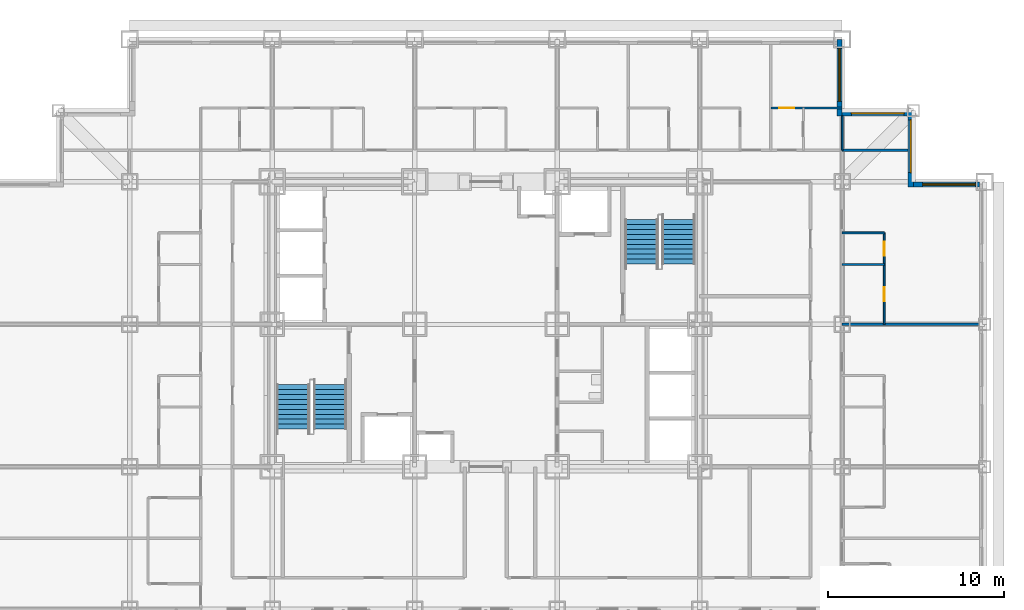
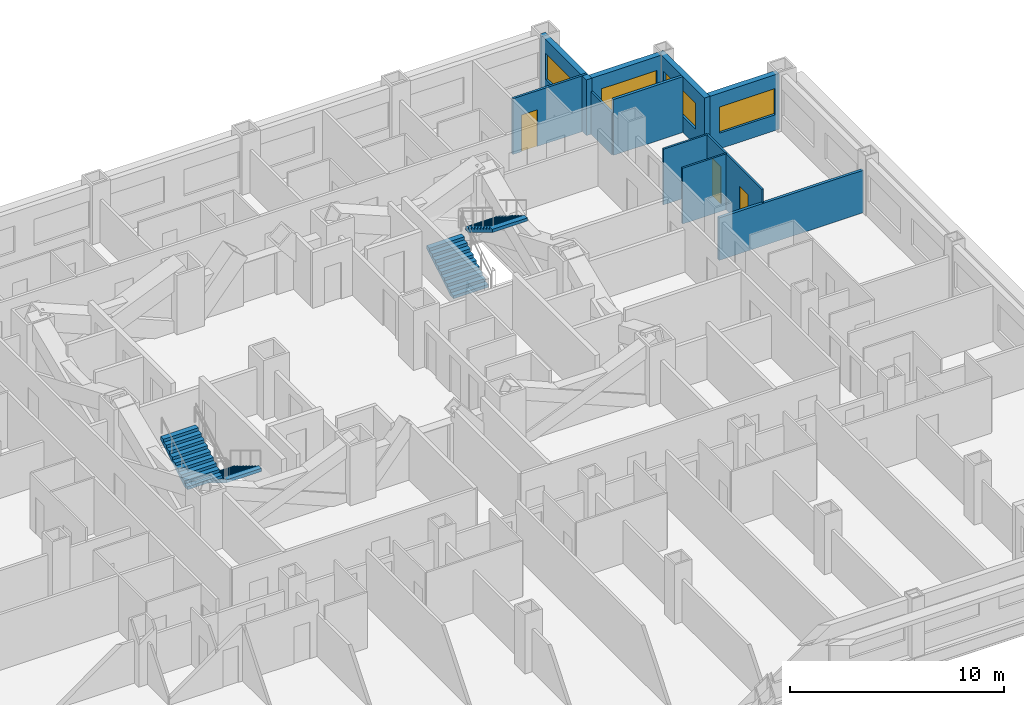
# One storey, part 10 of 12: 11 walls, 4 stair flights, 4 windows, 3 doors, 7 openings, 2 elements without a shape of their own.
"""IFC4 building model written with IfcOpenShell, lengths in metres."""

import ifcopenshell
import ifcopenshell.guid

model = None  # the IFC model being written
_history = None  # IfcOwnerHistory: only IFC2X3 demands one
_inside = {}  # id of a spatial element -> (the spatial element, [elements in it])
_under = {}  # id of a project, library or spatial element -> (it, [spatial elements below it])
_declared = {}  # id of a project -> (the project, [libraries it declares])
_typed = {}  # id of a type object -> (the type object, [elements of that type])
_made_of = {}  # id of a material, layer set ... -> (it, [elements and type objects made of it])


def new_model(schema):
    """Start an empty IFC model of exactly this schema.

    Asked for "IFC4X3", IfcOpenShell would pick the latest addendum, in which some entities
    have other attributes; the version numbers below select the first issue.
    IFC2X3 requires an IfcOwnerHistory on every rooted entity: one is made here for all.
    """
    global model, _history
    if schema == "IFC4X3":
        model = ifcopenshell.file(schema_version=(4, 3, 0, 0))
    else:
        model = ifcopenshell.file(schema=schema)
    _inside.clear()
    _under.clear()
    _declared.clear()
    _typed.clear()
    _made_of.clear()
    _history = None
    if model.schema == "IFC2X3":
        org = make("IfcOrganization", Name="unknown")
        user = make(
            "IfcPersonAndOrganization",
            ThePerson=make("IfcPerson", FamilyName="unknown"),
            TheOrganization=org,
        )
        app = make(
            "IfcApplication",
            ApplicationDeveloper=org,
            Version="unknown",
            ApplicationFullName="unknown",
            ApplicationIdentifier="unknown",
        )
        _history = make(
            "IfcOwnerHistory",
            OwningUser=user,
            OwningApplication=app,
            ChangeAction="ADDED",
            CreationDate=0,
        )
    return model


def make(cls, **values):
    """One entity of the class cls with the attributes given. An attribute that is None is left unset."""
    return model.create_entity(
        cls, **{name: value for name, value in values.items() if value is not None}
    )


def rooted(cls, **values):
    """An entity with a GlobalId (a new one), such as an element, a storey or a relation."""
    return make(cls, GlobalId=ifcopenshell.guid.new(), OwnerHistory=_history, **values)


def si_unit(unit_type, name, prefix=None):
    """IfcSIUnit, for example si_unit("LENGTHUNIT", "METRE", prefix="MILLI")."""
    return make("IfcSIUnit", UnitType=unit_type, Prefix=prefix, Name=name)


def assignment(units):
    """IfcUnitAssignment: the units of a project."""
    return None if units is None else make("IfcUnitAssignment", Units=units)


def point(xyz):
    """IfcCartesianPoint."""
    return None if xyz is None else make("IfcCartesianPoint", Coordinates=xyz)


def direction(xyz):
    """IfcDirection."""
    return None if xyz is None else make("IfcDirection", DirectionRatios=xyz)


def frame(location, z_axis=None, x_axis=None):
    """IfcAxis2Placement3D, a coordinate frame: its origin and axes. An axis left out is left unset."""
    return make(
        "IfcAxis2Placement3D",
        Location=point(location),
        Axis=direction(z_axis),
        RefDirection=direction(x_axis),
    )


def frame_2d(location, x_axis=None):
    """IfcAxis2Placement2D, a coordinate frame in the plane: its origin and x axis."""
    return make(
        "IfcAxis2Placement2D", Location=point(location), RefDirection=direction(x_axis)
    )


def origin():
    """The frame at (0, 0, 0) with its axes left unset."""
    return frame((0.0, 0.0, 0.0))


def place(relative_to, where):
    """IfcLocalPlacement: puts the frame where relative to a parent placement (None: the world)."""
    return make(
        "IfcLocalPlacement", PlacementRelTo=relative_to, RelativePlacement=where
    )


def context(
    kind, dimensions, precision=None, world=None, true_north=None, identifier=None
):
    """IfcGeometricRepresentationContext, for example the 3D "Model" context."""
    return make(
        "IfcGeometricRepresentationContext",
        ContextIdentifier=identifier,
        ContextType=kind,
        CoordinateSpaceDimension=dimensions,
        Precision=precision,
        WorldCoordinateSystem=world,
        TrueNorth=true_north,
    )


def subcontext(parent, identifier, kind, view, scale=None):
    """IfcGeometricRepresentationSubContext, for example "Body" below "Model"."""
    return make(
        "IfcGeometricRepresentationSubContext",
        ContextIdentifier=identifier,
        ContextType=kind,
        ParentContext=parent,
        TargetScale=scale,
        TargetView=view,
    )


def project(units=None, contexts=None):
    """IfcProject with its units and contexts."""
    return rooted(
        "IfcProject",
        Name="project",
        RepresentationContexts=contexts,
        UnitsInContext=assignment(units),
    )


def spatial(cls, under=None, at=None, **own):
    """A site, building, storey or space (cls), placed at a placement, below another one or the project."""
    s = rooted(cls, ObjectPlacement=at, **own)
    if under is not None:
        _under.setdefault(under.id(), (under, []))[1].append(s)
    return s


def point_list(points):
    """IfcCartesianPointList2D or 3D."""
    cls = (
        "IfcCartesianPointList2D" if len(points[0]) == 2 else "IfcCartesianPointList3D"
    )
    return make(cls, CoordList=points)


def profile(cls, at=None, kind="AREA", **sizes):
    """A parametric profile (cls). Its sizes go by their IFC names, for example OverallWidth=200.0."""
    return make(cls, ProfileType=kind, Position=at, **sizes)


def rectangle(**sizes):
    """IfcRectangleProfileDef."""
    return profile("IfcRectangleProfileDef", **sizes)


def extrude(swept, where, along, depth):
    """IfcExtrudedAreaSolid: the profile swept, set in the frame where, extruded along a direction by depth."""
    return make(
        "IfcExtrudedAreaSolid",
        SweptArea=swept,
        Position=where,
        ExtrudedDirection=direction(along),
        Depth=depth,
    )


def polygons(points, faces, closed=None, point_numbers=None):
    """IfcPolygonalFaceSet: a face is its outer loop, then its inner loops; points numbered from 1."""
    made = []
    for loops in faces:
        if len(loops) == 1:
            made.append(make("IfcIndexedPolygonalFace", CoordIndex=loops[0]))
        else:
            made.append(
                make(
                    "IfcIndexedPolygonalFaceWithVoids",
                    CoordIndex=loops[0],
                    InnerCoordIndices=loops[1:],
                )
            )
    return make(
        "IfcPolygonalFaceSet",
        Coordinates=point_list(points),
        Closed=closed,
        Faces=made,
        PnIndex=point_numbers,
    )


def shape(context_of_items, identifier, shape_type, items):
    """IfcShapeRepresentation: the items that make up one representation, for example the "Body"."""
    return make(
        "IfcShapeRepresentation",
        ContextOfItems=context_of_items,
        RepresentationIdentifier=identifier,
        RepresentationType=shape_type,
        Items=items,
    )


def source(mapping_origin, context_of_items, identifier, shape_type, items):
    """IfcRepresentationMap: a shape defined once, which mapped items show again and again."""
    return make(
        "IfcRepresentationMap",
        MappingOrigin=mapping_origin,
        MappedRepresentation=shape(context_of_items, identifier, shape_type, items),
    )


def transform(
    local_origin,
    x_axis=None,
    y_axis=None,
    z_axis=None,
    scale=None,
    scale2=None,
    scale3=None,
    uniform=True,
):
    """IfcCartesianTransformationOperator3D, or its non-uniform kind. x_axis, y_axis, z_axis: its Axis1, 2, 3."""
    if uniform:
        return make(
            "IfcCartesianTransformationOperator3D",
            Axis1=direction(x_axis),
            Axis2=direction(y_axis),
            LocalOrigin=point(local_origin),
            Scale=scale,
            Axis3=direction(z_axis),
        )
    return make(
        "IfcCartesianTransformationOperator3DnonUniform",
        Axis1=direction(x_axis),
        Axis2=direction(y_axis),
        LocalOrigin=point(local_origin),
        Scale=scale,
        Axis3=direction(z_axis),
        Scale2=scale2,
        Scale3=scale3,
    )


def mapped(mapping_source, mapping_target):
    """IfcMappedItem: shows the shape of a source again, moved by a transform."""
    return make(
        "IfcMappedItem", MappingSource=mapping_source, MappingTarget=mapping_target
    )


def material(Name=None, Category=None):
    """IfcMaterial."""
    return make("IfcMaterial", Name=Name, Category=Category)


def layer(
    of_material, thickness, ventilated=None, Name=None, Category=None, Priority=None
):
    """IfcMaterialLayer: one layer of a wall or slab, of a material (None: an air gap)."""
    return make(
        "IfcMaterialLayer",
        Material=of_material,
        LayerThickness=thickness,
        IsVentilated=ventilated,
        Name=Name,
        Category=Category,
        Priority=Priority,
    )


def layer_set(layers, Name=None):
    """IfcMaterialLayerSet."""
    return make("IfcMaterialLayerSet", MaterialLayers=layers, LayerSetName=Name)


def made_of(thing, what):
    """Note that an element or type object is made of a material, layer set ...; save() writes the relation."""
    if what is not None:
        _made_of.setdefault(what.id(), (what, []))[1].append(thing)
    return thing


def type_object(cls, material=None, **own):
    """A type object (cls), such as IfcWallType, which elements share."""
    return made_of(rooted(cls, **own), material)


def element(
    cls,
    number,
    at=None,
    inside=None,
    cuts=None,
    type_object=None,
    material=None,
    context=None,
    identifier="Body",
    shape_type=None,
    held_by="IfcProductDefinitionShape",
    body=None,
    shapes=None,
    **own,
):
    """One element of the class cls, such as IfcWall. Its Tag is "e" and its number.

    at: its placement. inside: the storey or other place that contains it. cuts: it is an
    opening in that element (IfcRelVoidsElement). A single representation is given by context,
    identifier, shape_type and body (its items); several are given by shapes. held_by: the class
    of the entity that holds the representations. save() writes the other relations.
    """
    e = rooted(cls, Tag="e%d" % number, ObjectPlacement=at, **own)
    if body is not None:
        shapes = [shape(context, identifier, shape_type, body)]
    if shapes is not None:
        e.Representation = make(held_by, Representations=shapes)
    if inside is not None:
        _inside.setdefault(inside.id(), (inside, []))[1].append(e)
    if cuts is not None:
        rooted(
            "IfcRelVoidsElement", RelatingBuildingElement=cuts, RelatedOpeningElement=e
        )
    if type_object is not None:
        _typed.setdefault(type_object.id(), (type_object, []))[1].append(e)
    return made_of(e, material)


def fill(opening, filler):
    """IfcRelFillsElement: the door or window that sits in an opening."""
    return rooted(
        "IfcRelFillsElement",
        RelatingOpeningElement=opening,
        RelatedBuildingElement=filler,
    )


def aggregate(whole, parts):
    """IfcRelAggregates: a whole, such as a stair, and the parts it consists of."""
    return rooted("IfcRelAggregates", RelatingObject=whole, RelatedObjects=parts)


def save(model, path):
    """Write the relations noted so far, then the file.

    IfcRelAggregates (storeys below a building ...), IfcRelContainedInSpatialStructure (elements
    in a storey), IfcRelDefinesByType, IfcRelAssociatesMaterial and IfcRelDeclares: one each for
    every whole, place, type object, material and project.
    """
    for whole, parts in _under.values():
        aggregate(whole, parts)
    for where, things in _inside.values():
        rooted(
            "IfcRelContainedInSpatialStructure",
            RelatedElements=things,
            RelatingStructure=where,
        )
    for kind, things in _typed.values():
        rooted("IfcRelDefinesByType", RelatedObjects=things, RelatingType=kind)
    for what, things in _made_of.values():
        rooted("IfcRelAssociatesMaterial", RelatedObjects=things, RelatingMaterial=what)
    for by, libraries in _declared.values():
        rooted("IfcRelDeclares", RelatingContext=by, RelatedDefinitions=libraries)
    model.write(path)


model = new_model("IFC4")

# Units and contexts
model_context = context("Model", 3, precision=1e-05, world=origin(), true_north=direction((0.0, 1.0)))
body_context = subcontext(model_context, "Body", "Model", "MODEL_VIEW")
ifc_project = project(units=[si_unit("LENGTHUNIT", "METRE"), si_unit("AREAUNIT", "SQUARE_METRE"), si_unit("VOLUMEUNIT", "CUBIC_METRE"), si_unit("PLANEANGLEUNIT", "RADIAN"), si_unit("MASSUNIT", "GRAM", prefix="KILO")], contexts=[model_context])

# Site, building, storey
site_placement = place(None, origin())
site = spatial("IfcSite", under=ifc_project, at=site_placement, CompositionType="ELEMENT")
building_placement = place(site_placement, origin())
building = spatial("IfcBuilding", under=site, at=building_placement, Name="Kopane Lantern Tower", CompositionType="ELEMENT")
storey_placement = place(building_placement, frame((0.0, 0.0, 80.60009765625)))
storey = spatial("IfcBuildingStorey", under=building, at=storey_placement, Name="L20", CompositionType="ELEMENT", Elevation=80.60009765625)

# Wall, opening, door
ifc_material_1 = material(Name="Gypsum board on steel studs", Category="steel")
ifc_layer_1 = layer(ifc_material_1, 0.1201171875)
ifc_layer_set_1 = layer_set([ifc_layer_1], Name="APARTMENT INTERNAL WALL 120")
wall_type_1 = type_object("IfcWallType", Name="APARTMENT INTERNAL WALL 120", PredefinedType="PARTITIONING", material=ifc_layer_set_1)
wall_1_placement = place(storey_placement, frame((44.550048828125, 44.699951171875, 0.0), z_axis=(0.0, 0.0, 1.0), x_axis=(1.0, 0.0, 0.0)))
wall_1 = element("IfcWall", 1, at=wall_1_placement, inside=storey, type_object=wall_type_1, Name="Apartment Internal Wall 120 L20", PredefinedType="PARTITIONING", context=body_context, shape_type="SweptSolid", body=[
    extrude(rectangle(XDim=4.050048828125, YDim=0.1201171875, at=frame_2d((2.02490234375, 0.0))), origin(), (0.0, 0.0, 1.0), 3.18994140625),
])
opening_1_placement = place(wall_1_placement, frame((0.47509765625, 0.0, 0.0)))
opening_1 = element("IfcOpeningElement", 2, at=opening_1_placement, cuts=wall_1, Name="Opening L20-069", PredefinedType="OPENING", context=body_context, shape_type="SweptSolid", body=[
    extrude(rectangle(XDim=0.85009765625, YDim=2.10009765625, at=frame_2d((0.425048828125, 1.050048828125))), frame((0.0, 0.070068359375, 0.0), z_axis=(0.0, -1.0, 0.0), x_axis=(1.0, 0.0, 0.0)), (0.0, 0.0, 1.0), 0.14013671875),
])
ifc_material_2 = material(Name="Timber door set", Category="wood")
door_type_1 = type_object("IfcDoorType", Name="DOOR D4 850x2100", OperationType="SINGLE_SWING_LEFT", PredefinedType="DOOR", material=ifc_material_2)
door_1_placement = place(opening_1_placement, origin())
door_1 = element("IfcDoor", 3, at=door_1_placement, inside=storey, type_object=door_type_1, Name="Door L20-069", OperationType="SINGLE_SWING_LEFT", OverallHeight=2.10009765625, OverallWidth=0.85009765625, PredefinedType="DOOR", context=body_context, shape_type="SweptSolid", body=[
    extrude(rectangle(XDim=0.85009765625, YDim=2.10009765625, at=frame_2d((0.425048828125, 1.050048828125))), frame((0.0, 0.02490234375, 0.0), z_axis=(0.0, -1.0, 0.0), x_axis=(1.0, 0.0, 0.0)), (0.0, 0.0, 1.0), 0.050048828125),
])
fill(opening_1, door_1)

# Wall, openings, doors
ifc_material_3 = material(Name="Moisture-resistant board on steel studs", Category="steel")
ifc_layer_2 = layer(ifc_material_3, 0.10009765625)
ifc_layer_set_2 = layer_set([ifc_layer_2], Name="BATHROOM WALL 100")
wall_type_2 = type_object("IfcWallType", Name="BATHROOM WALL 100", PredefinedType="PARTITIONING", material=ifc_layer_set_2)
wall_2_placement = place(storey_placement, frame((51.0, 32.39990234375, 0.0), z_axis=(0.0, 0.0, 1.0), x_axis=(0.0, 1.0, 0.0)))
wall_2 = element("IfcWall", 4, at=wall_2_placement, inside=storey, type_object=wall_type_2, Name="Bathroom Wall 100 L20", PredefinedType="PARTITIONING", context=body_context, shape_type="SweptSolid", body=[
    extrude(rectangle(XDim=5.2001953125, YDim=0.10009765625, at=frame_2d((2.60009765625, 0.0))), origin(), (0.0, 0.0, 1.0), 3.18994140625),
])
opening_2_placement = place(wall_2_placement, frame((1.300048828125, 0.0, 0.0)))
opening_2 = element("IfcOpeningElement", 5, at=opening_2_placement, cuts=wall_2, Name="Opening L20-056", PredefinedType="OPENING", context=body_context, shape_type="SweptSolid", body=[
    extrude(rectangle(XDim=0.800048828125, YDim=2.10009765625, at=frame_2d((0.39990234375, 1.050048828125))), frame((0.0, 0.06005859375, 0.0), z_axis=(0.0, -1.0, 0.0), x_axis=(1.0, 0.0, 0.0)), (0.0, 0.0, 1.0), 0.1201171875),
])
opening_3_placement = place(wall_2_placement, frame((3.89990234375, 0.0, 0.0)))
opening_3 = element("IfcOpeningElement", 6, at=opening_3_placement, cuts=wall_2, Name="Opening L20-057", PredefinedType="OPENING", context=body_context, shape_type="SweptSolid", body=[
    extrude(rectangle(XDim=0.800048828125, YDim=2.10009765625, at=frame_2d((0.39990234375, 1.050048828125))), frame((0.0, 0.06005859375, 0.0), z_axis=(0.0, -1.0, 0.0), x_axis=(1.0, 0.0, 0.0)), (0.0, 0.0, 1.0), 0.1201171875),
])
ifc_material_4 = material(Name="Timber door set", Category="wood")
door_type_2 = type_object("IfcDoorType", Name="DOOR D2 800x2100", OperationType="SINGLE_SWING_LEFT", PredefinedType="DOOR", material=ifc_material_4)
door_2_placement = place(opening_2_placement, origin())
door_2 = element("IfcDoor", 7, at=door_2_placement, inside=storey, type_object=door_type_2, Name="Door L20-056", OperationType="SINGLE_SWING_RIGHT", OverallHeight=2.10009765625, OverallWidth=0.800048828125, PredefinedType="DOOR", context=body_context, shape_type="SweptSolid", body=[
    extrude(rectangle(XDim=0.800048828125, YDim=2.10009765625, at=frame_2d((0.39990234375, 1.050048828125))), frame((0.0, 0.02490234375, 0.0), z_axis=(0.0, -1.0, 0.0), x_axis=(1.0, 0.0, 0.0)), (0.0, 0.0, 1.0), 0.050048828125),
])
fill(opening_2, door_2)
door_3_placement = place(opening_3_placement, origin())
door_3 = element("IfcDoor", 8, at=door_3_placement, inside=storey, type_object=door_type_2, Name="Door L20-057", OperationType="SINGLE_SWING_RIGHT", OverallHeight=2.10009765625, OverallWidth=0.800048828125, PredefinedType="DOOR", context=body_context, shape_type="SweptSolid", body=[
    extrude(rectangle(XDim=0.800048828125, YDim=2.10009765625, at=frame_2d((0.39990234375, 1.050048828125))), frame((0.0, 0.02490234375, 0.0), z_axis=(0.0, -1.0, 0.0), x_axis=(1.0, 0.0, 0.0)), (0.0, 0.0, 1.0), 0.050048828125),
])
fill(opening_3, door_3)

# Walls
for number, where, z_axis, x_axis, name in (
    (9, (48.60009765625, 35.800048828125, 0.0), (0.0, 0.0, 1.0), (1.0, 0.0, 0.0), "Bathroom Wall 100 L20"),
    (10, (48.60009765625, 37.60009765625, 0.0), (0.0, 0.0, 1.0), (1.0, 0.0, 0.0), "Bathroom Wall 100 L20"),
):
    element("IfcWall", number, at=place(storey_placement, frame(where, z_axis=z_axis, x_axis=x_axis)), inside=storey, type_object=wall_type_2, Name=name, PredefinedType="PARTITIONING", context=body_context, shape_type="SweptSolid", body=[
        extrude(rectangle(XDim=2.39990234375, YDim=0.10009765625, at=frame_2d((1.199951171875, 0.0))), origin(), (0.0, 0.0, 1.0), 3.18994140625),
    ])
wall_3_placement = place(storey_placement, frame((48.60009765625, 42.300048828125, 0.0), z_axis=(0.0, 0.0, 1.0), x_axis=(0.0, 1.0, 0.0)))
element("IfcWall", 11, at=wall_3_placement, inside=storey, type_object=wall_type_2, Name="Bathroom Wall 100 L20", PredefinedType="PARTITIONING", context=body_context, shape_type="SweptSolid", body=[
    extrude(rectangle(XDim=1.949951171875, YDim=0.10009765625, at=frame_2d((0.97509765625, 0.0))), origin(), (0.0, 0.0, 1.0), 2.427734375),
])
ifc_material_5 = material(Name="Gypsum board on steel studs", Category="steel")
ifc_layer_3 = layer(ifc_material_5, 0.14990234375)
ifc_layer_set_3 = layer_set([ifc_layer_3], Name="DEMISING WALL 150 EI 60")
wall_type_3 = type_object("IfcWallType", Name="DEMISING WALL 150 EI 60", PredefinedType="PARTITIONING", material=ifc_layer_set_3)
wall_4_placement = place(storey_placement, frame((48.60009765625, 32.39990234375, 0.0), z_axis=(0.0, 0.0, 1.0), x_axis=(1.0, 0.0, 0.0)))
element("IfcWall", 12, at=wall_4_placement, inside=storey, type_object=wall_type_3, Name="Demising Wall 150 Ei 60 L20", PredefinedType="PARTITIONING", context=body_context, shape_type="SweptSolid", body=[
    extrude(rectangle(XDim=7.7998046875, YDim=0.14990234375, at=frame_2d((3.89990234375, 0.0))), origin(), (0.0, 0.0, 1.0), 2.427734375),
])
wall_5_placement = place(storey_placement, frame((48.60009765625, 42.300048828125, 0.0), z_axis=(0.0, 0.0, 1.0), x_axis=(1.0, 0.0, 0.0)))
element("IfcWall", 13, at=wall_5_placement, inside=storey, type_object=wall_type_3, Name="Demising Wall 150 Ei 60 L20", PredefinedType="PARTITIONING", context=body_context, shape_type="SweptSolid", body=[
    extrude(rectangle(XDim=3.75, YDim=0.14990234375, at=frame_2d((1.875, 0.0))), origin(), (0.0, 0.0, 1.0), 3.18994140625),
])

# Wall, opening, window
ifc_material_6 = material(Name="Terracotta rainscreen on light steel framing", Category="masonry")
ifc_layer_4 = layer(ifc_material_6, 0.300048828125)
ifc_layer_set_4 = layer_set([ifc_layer_4], Name="EXTERNAL WALL EW1 300 TERRACOTTA")
wall_type_4 = type_object("IfcWallType", Name="EXTERNAL WALL EW1 300 TERRACOTTA", PredefinedType="SOLIDWALL", material=ifc_layer_set_4)
wall_6_placement = place(storey_placement, frame((56.39990234375, 40.35009765625, 0.0), z_axis=(0.0, 0.0, 1.0), x_axis=(-1.0, 0.0, 0.0)))
wall_6 = element("IfcWall", 14, at=wall_6_placement, inside=storey, type_object=wall_type_4, Name="External wall N L20", PredefinedType="SOLIDWALL", context=body_context, shape_type="SweptSolid", body=[
    extrude(rectangle(XDim=3.75, YDim=0.300048828125, at=frame_2d((1.875, 0.0))), origin(), (0.0, 0.0, 1.0), 3.18994140625),
])
opening_4_placement = place(wall_6_placement, frame((0.22509765625, 0.0, 0.89990234375)))
opening_4 = element("IfcOpeningElement", 15, at=opening_4_placement, cuts=wall_6, Name="Opening WR300150", PredefinedType="OPENING", context=body_context, shape_type="SweptSolid", body=[
    extrude(rectangle(XDim=3.0, YDim=1.5, at=frame_2d((1.5, 0.75))), frame((0.0, 0.159912109375, 0.0), z_axis=(0.0, -1.0, 0.0), x_axis=(1.0, 0.0, 0.0)), (0.0, 0.0, 1.0), 0.320068359375),
])
ifc_material_7 = material(Name="Aluminium and clear glass", Category="aluminium")
window_type = type_object("IfcWindowType", Name="RIBBON WINDOW WR300150 3000x1500", PartitioningType="SINGLE_PANEL", PredefinedType="WINDOW", material=ifc_material_7)
window_1_placement = place(opening_4_placement, origin())
window_1 = element("IfcWindow", 16, at=window_1_placement, inside=storey, type_object=window_type, Name="Window N L20", OverallHeight=1.5, OverallWidth=3.0, PartitioningType="SINGLE_PANEL", PredefinedType="WINDOW", context=body_context, shape_type="SweptSolid", body=[
    extrude(rectangle(XDim=3.0, YDim=1.5, at=frame_2d((1.5, 0.75))), frame((0.0, 0.030029296875, 0.0), z_axis=(0.0, -1.0, 0.0), x_axis=(1.0, 0.0, 0.0)), (0.0, 0.0, 1.0), 0.06005859375),
])
fill(opening_4, window_1)

wall_7_placement = place(storey_placement, frame((52.5, 40.199951171875, 0.0), z_axis=(0.0, 0.0, 1.0), x_axis=(0.0, 1.0, 0.0)))
wall_7 = element("IfcWall", 17, at=wall_7_placement, inside=storey, type_object=wall_type_4, Name="External wall E L20", PredefinedType="SOLIDWALL", context=body_context, shape_type="SweptSolid", body=[
    extrude(rectangle(XDim=4.35009765625, YDim=0.300048828125, at=frame_2d((2.175048828125, 0.0))), origin(), (0.0, 0.0, 1.0), 3.18994140625),
])
opening_5_placement = place(wall_7_placement, frame((0.824951171875, 0.0, 0.89990234375)))
opening_5 = element("IfcOpeningElement", 18, at=opening_5_placement, cuts=wall_7, Name="Opening WR300150", PredefinedType="OPENING", context=body_context, shape_type="SweptSolid", body=[
    extrude(rectangle(XDim=3.0, YDim=1.5, at=frame_2d((1.5, 0.75))), frame((0.0, 0.159912109375, 0.0), z_axis=(0.0, -1.0, 0.0), x_axis=(1.0, 0.0, 0.0)), (0.0, 0.0, 1.0), 0.320068359375),
])
window_2_placement = place(opening_5_placement, origin())
window_2 = element("IfcWindow", 19, at=window_2_placement, inside=storey, type_object=window_type, Name="Window E L20", OverallHeight=1.5, OverallWidth=3.0, PartitioningType="SINGLE_PANEL", PredefinedType="WINDOW", context=body_context, shape_type="SweptSolid", body=[
    extrude(rectangle(XDim=3.0, YDim=1.5, at=frame_2d((1.5, 0.75))), frame((0.0, 0.030029296875, 0.0), z_axis=(0.0, -1.0, 0.0), x_axis=(1.0, 0.0, 0.0)), (0.0, 0.0, 1.0), 0.06005859375),
])
fill(opening_5, window_2)

wall_8_placement = place(storey_placement, frame((52.35009765625, 44.39990234375, 0.0), z_axis=(0.0, 0.0, 1.0), x_axis=(-1.0, 0.0, 0.0)))
wall_8 = element("IfcWall", 20, at=wall_8_placement, inside=storey, type_object=wall_type_4, Name="External wall N L20", PredefinedType="SOLIDWALL", context=body_context, shape_type="SweptSolid", body=[
    extrude(rectangle(XDim=3.75, YDim=0.300048828125, at=frame_2d((1.875, 0.0))), origin(), (0.0, 0.0, 1.0), 3.18994140625),
])
opening_6_placement = place(wall_8_placement, frame((0.22509765625, 0.0, 0.89990234375)))
opening_6 = element("IfcOpeningElement", 21, at=opening_6_placement, cuts=wall_8, Name="Opening WR300150", PredefinedType="OPENING", context=body_context, shape_type="SweptSolid", body=[
    extrude(rectangle(XDim=3.0, YDim=1.5, at=frame_2d((1.5, 0.75))), frame((0.0, 0.159912109375, 0.0), z_axis=(0.0, -1.0, 0.0), x_axis=(1.0, 0.0, 0.0)), (0.0, 0.0, 1.0), 0.320068359375),
])
window_3_placement = place(opening_6_placement, origin())
window_3 = element("IfcWindow", 22, at=window_3_placement, inside=storey, type_object=window_type, Name="Window N L20", OverallHeight=1.5, OverallWidth=3.0, PartitioningType="SINGLE_PANEL", PredefinedType="WINDOW", context=body_context, shape_type="SweptSolid", body=[
    extrude(rectangle(XDim=3.0, YDim=1.5, at=frame_2d((1.5, 0.75))), frame((0.0, 0.030029296875, 0.0), z_axis=(0.0, -1.0, 0.0), x_axis=(1.0, 0.0, 0.0)), (0.0, 0.0, 1.0), 0.06005859375),
])
fill(opening_6, window_3)

wall_9_placement = place(storey_placement, frame((48.449951171875, 44.25, 0.0), z_axis=(0.0, 0.0, 1.0), x_axis=(0.0, 1.0, 0.0)))
wall_9 = element("IfcWall", 23, at=wall_9_placement, inside=storey, type_object=wall_type_4, Name="External wall E L20", PredefinedType="SOLIDWALL", context=body_context, shape_type="SweptSolid", body=[
    extrude(rectangle(XDim=4.35009765625, YDim=0.300048828125, at=frame_2d((2.175048828125, 0.0))), origin(), (0.0, 0.0, 1.0), 3.18994140625),
])
opening_7_placement = place(wall_9_placement, frame((0.824951171875, 0.0, 0.89990234375)))
opening_7 = element("IfcOpeningElement", 24, at=opening_7_placement, cuts=wall_9, Name="Opening WR300150", PredefinedType="OPENING", context=body_context, shape_type="SweptSolid", body=[
    extrude(rectangle(XDim=3.0, YDim=1.5, at=frame_2d((1.5, 0.75))), frame((0.0, 0.159912109375, 0.0), z_axis=(0.0, -1.0, 0.0), x_axis=(1.0, 0.0, 0.0)), (0.0, 0.0, 1.0), 0.320068359375),
])
window_4_placement = place(opening_7_placement, origin())
window_4 = element("IfcWindow", 25, at=window_4_placement, inside=storey, type_object=window_type, Name="Window E L20", OverallHeight=1.5, OverallWidth=3.0, PartitioningType="SINGLE_PANEL", PredefinedType="WINDOW", context=body_context, shape_type="SweptSolid", body=[
    extrude(rectangle(XDim=3.0, YDim=1.5, at=frame_2d((1.5, 0.75))), frame((0.0, 0.030029296875, 0.0), z_axis=(0.0, -1.0, 0.0), x_axis=(1.0, 0.0, 0.0)), (0.0, 0.0, 1.0), 0.06005859375),
])
fill(opening_7, window_4)

# Stair, stair flights
ifc_material_8 = material(Name="Steel S355JR", Category="steel")
stair_type = type_object("IfcStairType", Name="EXIT STAIR 1900 HALF TURN", PredefinedType="HALF_TURN_STAIR", material=ifc_material_8)
stair_1_placement = place(storey_placement, origin())
stair_1 = element("IfcStair", 26, at=stair_1_placement, inside=storey, type_object=stair_type, Name="Exit stair ST1 L20", PredefinedType="HALF_TURN_STAIR")
ifc_material_9 = material(Name="Steel S355JR", Category="steel")
stair_flight_type = type_object("IfcStairFlightType", Name="STAIR FLIGHT 1900 STEEL", PredefinedType="STRAIGHT", material=ifc_material_9)
shared_shape = source(origin(), body_context, "Body", "Tessellation", [
    polygons([(2.520019531, 0.949951172, 1.530029297), (2.239990234, 0.949951172, 1.530029297), (2.239990234, -0.949951172, 1.530029297), (2.520019531, -0.949951172, 1.530029297), (0.288818359, 0.949951172, 0.0), (2.520019531, 0.949951172, 1.354736328), (2.520019531, -0.949951172, 1.354736328), (0.288818359, -0.949951172, 0.0), (0.0, 0.949951172, 0.0), (0.0, -0.949951172, 0.0), (0.280029297, 0.949951172, 0.169921875), (0.0, 0.949951172, 0.169921875), (0.0, -0.949951172, 0.169921875), (0.280029297, -0.949951172, 0.169921875), (0.280029297, 0.949951172, 0.340087891), (0.280029297, -0.949951172, 0.340087891), (0.560058594, 0.949951172, 0.340087891), (0.560058594, -0.949951172, 0.340087891), (0.560058594, 0.949951172, 0.510009766), (0.560058594, -0.949951172, 0.510009766), (0.840087891, 0.949951172, 0.510009766), (0.840087891, -0.949951172, 0.510009766), (0.840087891, 0.949951172, 0.679931641), (0.840087891, -0.949951172, 0.679931641), (1.120117188, 0.949951172, 0.679931641), (1.120117188, -0.949951172, 0.679931641), (1.120117188, 0.949951172, 0.850097656), (1.120117188, -0.949951172, 0.850097656), (1.399902344, 0.949951172, 0.850097656), (1.399902344, -0.949951172, 0.850097656), (1.399902344, 0.949951172, 1.020019531), (1.399902344, -0.949951172, 1.020019531), (1.679931641, 0.949951172, 1.020019531), (1.679931641, -0.949951172, 1.020019531), (1.679931641, 0.949951172, 1.189941406), (1.679931641, -0.949951172, 1.189941406), (1.959960938, 0.949951172, 1.189941406), (1.959960938, -0.949951172, 1.189941406), (1.959960938, 0.949951172, 1.360107422), (1.959960938, -0.949951172, 1.360107422), (2.239990234, 0.949951172, 1.360107422), (2.239990234, -0.949951172, 1.360107422), (0.0, 0.0, 0.004592483), (0.0, 0.0, 0.009184966), (0.0, 0.0, 0.013777449), (0.0, 0.0, 0.018369932), (0.0, 0.0, 0.022962416), (0.0, 0.0, 0.027554899), (0.0, 0.0, 0.032147382), (0.0, 0.0, 0.036739865), (0.0, 0.0, 0.041332348), (0.0, 0.0, 0.045924831), (0.0, 0.0, 0.050517314), (0.0, 0.0, 0.055109797), (0.0, 0.0, 0.05970228), (0.0, 0.0, 0.064294764), (0.0, 0.0, 0.068887247), (0.0, 0.0, 0.07347973), (0.0, 0.0, 0.078072213), (0.0, 0.0, 0.082664696), (0.0, 0.0, 0.087257179), (0.0, 0.0, 0.091849662), (0.0, 0.0, 0.096442145), (0.0, 0.0, 0.101034628), (0.0, 0.0, 0.105627111), (0.0, 0.0, 0.110219595), (0.0, 0.0, 0.114812078), (0.0, 0.0, 0.119404561), (0.0, 0.0, 0.123997044), (0.0, 0.0, 0.128589527), (0.0, 0.0, 0.13318201), (0.0, 0.0, 0.137774493), (0.0, 0.0, 0.142366976), (0.0, 0.0, 0.146959459), (0.0, 0.0, 0.151551943), (0.0, 0.0, 0.156144426), (0.0, 0.0, 0.160736909), (0.0, 0.0, 0.165329392), (2.520019531, 0.0, 1.359473976), (2.520019531, 0.0, 1.364211624), (2.520019531, 0.0, 1.368949272), (2.520019531, 0.0, 1.373686919), (2.520019531, 0.0, 1.378424567), (2.520019531, 0.0, 1.383162215), (2.520019531, 0.0, 1.387899863), (2.520019531, 0.0, 1.392637511), (2.520019531, 0.0, 1.397375158), (2.520019531, 0.0, 1.402112806), (2.520019531, 0.0, 1.406850454), (2.520019531, 0.0, 1.411588102), (2.520019531, 0.0, 1.41632575), (2.520019531, 0.0, 1.421063397), (2.520019531, 0.0, 1.425801045), (2.520019531, 0.0, 1.430538693), (2.520019531, 0.0, 1.435276341), (2.520019531, 0.0, 1.440013989), (2.520019531, 0.0, 1.444751636), (2.520019531, 0.0, 1.449489284), (2.520019531, 0.0, 1.454226932), (2.520019531, 0.0, 1.45896458), (2.520019531, 0.0, 1.463702228), (2.520019531, 0.0, 1.468439875), (2.520019531, 0.0, 1.473177523), (2.520019531, 0.0, 1.477915171), (2.520019531, 0.0, 1.482652819), (2.520019531, 0.0, 1.487390467), (2.520019531, 0.0, 1.492128114), (2.520019531, 0.0, 1.496865762), (2.520019531, 0.0, 1.50160341), (2.520019531, 0.0, 1.506341058), (2.520019531, 0.0, 1.511078706), (2.520019531, 0.0, 1.515816353), (2.520019531, 0.0, 1.520554001), (2.520019531, 0.0, 1.525291649)], [[[1, 2, 3]], [[1, 3, 4]], [[5, 6, 7]], [[5, 7, 8]], [[9, 5, 8]], [[9, 8, 10]], [[11, 12, 13]], [[11, 13, 14]], [[15, 11, 14]], [[15, 14, 16]], [[17, 15, 16]], [[17, 16, 18]], [[19, 17, 18]], [[19, 18, 20]], [[21, 19, 20]], [[21, 20, 22]], [[23, 21, 22]], [[23, 22, 24]], [[25, 23, 24]], [[25, 24, 26]], [[27, 25, 26]], [[27, 26, 28]], [[29, 27, 28]], [[29, 28, 30]], [[31, 29, 30]], [[31, 30, 32]], [[33, 31, 32]], [[33, 32, 34]], [[35, 33, 34]], [[35, 34, 36]], [[37, 35, 36]], [[37, 36, 38]], [[39, 37, 38]], [[39, 38, 40]], [[41, 39, 40]], [[41, 40, 42]], [[2, 41, 42]], [[2, 42, 3]], [[41, 1, 6]], [[37, 41, 6]], [[2, 1, 41]], [[33, 37, 6]], [[39, 41, 37]], [[35, 37, 33]], [[31, 33, 29]], [[5, 21, 25]], [[27, 29, 25]], [[17, 21, 5]], [[23, 25, 21]], [[11, 17, 5]], [[19, 21, 17]], [[9, 11, 5]], [[15, 17, 11]], [[12, 11, 9]], [[6, 5, 25]], [[6, 25, 29]], [[6, 29, 33]], [[7, 4, 42]], [[7, 42, 38]], [[42, 4, 3]], [[7, 38, 34]], [[38, 42, 40]], [[34, 38, 36]], [[30, 34, 32]], [[26, 22, 8]], [[26, 30, 28]], [[8, 22, 18]], [[22, 26, 24]], [[8, 18, 14]], [[18, 22, 20]], [[8, 14, 10]], [[14, 18, 16]], [[10, 14, 13]], [[26, 8, 7]], [[30, 26, 7]], [[34, 30, 7]], [[10, 43, 9]], [[10, 44, 43]], [[9, 43, 44]], [[10, 45, 44]], [[9, 44, 45]], [[10, 46, 45]], [[9, 45, 46]], [[10, 47, 46]], [[9, 46, 47]], [[10, 48, 47]], [[9, 47, 48]], [[10, 49, 48]], [[9, 48, 49]], [[10, 50, 49]], [[9, 49, 50]], [[10, 51, 50]], [[9, 50, 51]], [[10, 52, 51]], [[9, 51, 52]], [[10, 53, 52]], [[9, 52, 53]], [[10, 54, 53]], [[9, 53, 54]], [[10, 55, 54]], [[9, 54, 55]], [[10, 56, 55]], [[9, 55, 56]], [[10, 57, 56]], [[9, 56, 57]], [[10, 58, 57]], [[9, 57, 58]], [[10, 59, 58]], [[9, 58, 59]], [[10, 60, 59]], [[9, 59, 60]], [[10, 61, 60]], [[9, 60, 61]], [[10, 62, 61]], [[9, 61, 62]], [[10, 63, 62]], [[9, 62, 63]], [[10, 64, 63]], [[9, 63, 64]], [[10, 65, 64]], [[9, 64, 65]], [[10, 66, 65]], [[9, 65, 66]], [[10, 67, 66]], [[9, 66, 67]], [[10, 68, 67]], [[9, 67, 68]], [[10, 69, 68]], [[9, 68, 69]], [[10, 70, 69]], [[9, 69, 70]], [[10, 71, 70]], [[9, 70, 71]], [[10, 72, 71]], [[9, 71, 72]], [[10, 73, 72]], [[9, 72, 73]], [[10, 74, 73]], [[9, 73, 74]], [[10, 75, 74]], [[9, 74, 75]], [[10, 76, 75]], [[9, 75, 76]], [[10, 77, 76]], [[9, 76, 77]], [[10, 78, 77]], [[9, 77, 78]], [[10, 13, 78]], [[78, 13, 12]], [[9, 78, 12]], [[7, 6, 79]], [[7, 79, 80]], [[6, 80, 79]], [[7, 80, 81]], [[6, 81, 80]], [[7, 81, 82]], [[6, 82, 81]], [[7, 82, 83]], [[6, 83, 82]], [[7, 83, 84]], [[6, 84, 83]], [[7, 84, 85]], [[6, 85, 84]], [[7, 85, 86]], [[6, 86, 85]], [[7, 86, 87]], [[6, 87, 86]], [[7, 87, 88]], [[6, 88, 87]], [[7, 88, 89]], [[6, 89, 88]], [[7, 89, 90]], [[6, 90, 89]], [[7, 90, 91]], [[6, 91, 90]], [[7, 91, 92]], [[6, 92, 91]], [[7, 92, 93]], [[6, 93, 92]], [[7, 93, 94]], [[6, 94, 93]], [[7, 94, 95]], [[6, 95, 94]], [[7, 95, 96]], [[6, 96, 95]], [[7, 96, 97]], [[6, 97, 96]], [[7, 97, 98]], [[6, 98, 97]], [[7, 98, 99]], [[6, 99, 98]], [[7, 99, 100]], [[6, 100, 99]], [[7, 100, 101]], [[6, 101, 100]], [[7, 101, 102]], [[6, 102, 101]], [[7, 102, 103]], [[6, 103, 102]], [[7, 103, 104]], [[6, 104, 103]], [[7, 104, 105]], [[6, 105, 104]], [[7, 105, 106]], [[6, 106, 105]], [[7, 106, 107]], [[6, 107, 106]], [[7, 107, 108]], [[6, 108, 107]], [[7, 108, 109]], [[6, 109, 108]], [[7, 109, 110]], [[6, 110, 109]], [[7, 110, 111]], [[6, 111, 110]], [[7, 111, 112]], [[6, 112, 111]], [[7, 112, 113]], [[6, 113, 112]], [[7, 113, 114]], [[6, 114, 113]], [[7, 114, 4]], [[114, 1, 4]], [[6, 1, 114]]], closed=True),
])
stair_flight_1_placement = place(storey_placement, frame((19.5, 28.969970703125, 0.0), z_axis=(0.0, 0.0, 1.0), x_axis=(0.0, -1.0, 0.0)))
stair_flight_1 = element("IfcStairFlight", 27, at=stair_flight_1_placement, type_object=stair_flight_type, Name="ST1 flight 1", NumberOfRisers=10, NumberOfTreads=9, PredefinedType="STRAIGHT", RiserHeight=0.17, TreadLength=0.28, context=body_context, shape_type="MappedRepresentation", body=[
    mapped(shared_shape, transform((0.0, 0.0, 0.0))),
])
stair_flight_2_placement = place(storey_placement, frame((17.39990234375, 26.449951171875, 1.699951171875), z_axis=(0.0, 0.0, 1.0), x_axis=(0.0, 1.0, 0.0)))
stair_flight_2 = element("IfcStairFlight", 28, at=stair_flight_2_placement, type_object=stair_flight_type, Name="ST1 flight 2", NumberOfRisers=10, NumberOfTreads=9, PredefinedType="STRAIGHT", RiserHeight=0.17, TreadLength=0.28, context=body_context, shape_type="MappedRepresentation", body=[
    mapped(shared_shape, transform((0.0, 0.0, 0.0))),
])
aggregate(stair_1, [stair_flight_1, stair_flight_2])

stair_2_placement = place(storey_placement, origin())
stair_2 = element("IfcStair", 29, at=stair_2_placement, inside=storey, type_object=stair_type, Name="Exit stair ST2 L20", PredefinedType="HALF_TURN_STAIR")
stair_flight_3_placement = place(storey_placement, frame((37.199951171875, 35.830078125, 0.0), z_axis=(0.0, 0.0, 1.0), x_axis=(0.0, 1.0, 0.0)))
stair_flight_3 = element("IfcStairFlight", 30, at=stair_flight_3_placement, type_object=stair_flight_type, Name="ST2 flight 1", NumberOfRisers=10, NumberOfTreads=9, PredefinedType="STRAIGHT", RiserHeight=0.17, TreadLength=0.28, context=body_context, shape_type="MappedRepresentation", body=[
    mapped(shared_shape, transform((0.0, 0.0, 0.0))),
])
stair_flight_4_placement = place(storey_placement, frame((39.300048828125, 38.35009765625, 1.699951171875), z_axis=(0.0, 0.0, 1.0), x_axis=(0.0, -1.0, 0.0)))
stair_flight_4 = element("IfcStairFlight", 31, at=stair_flight_4_placement, type_object=stair_flight_type, Name="ST2 flight 2", NumberOfRisers=10, NumberOfTreads=9, PredefinedType="STRAIGHT", RiserHeight=0.17, TreadLength=0.28, context=body_context, shape_type="MappedRepresentation", body=[
    mapped(shared_shape, transform((0.0, 0.0, 0.0))),
])
aggregate(stair_2, [stair_flight_3, stair_flight_4])

save(model, "model.ifc")
